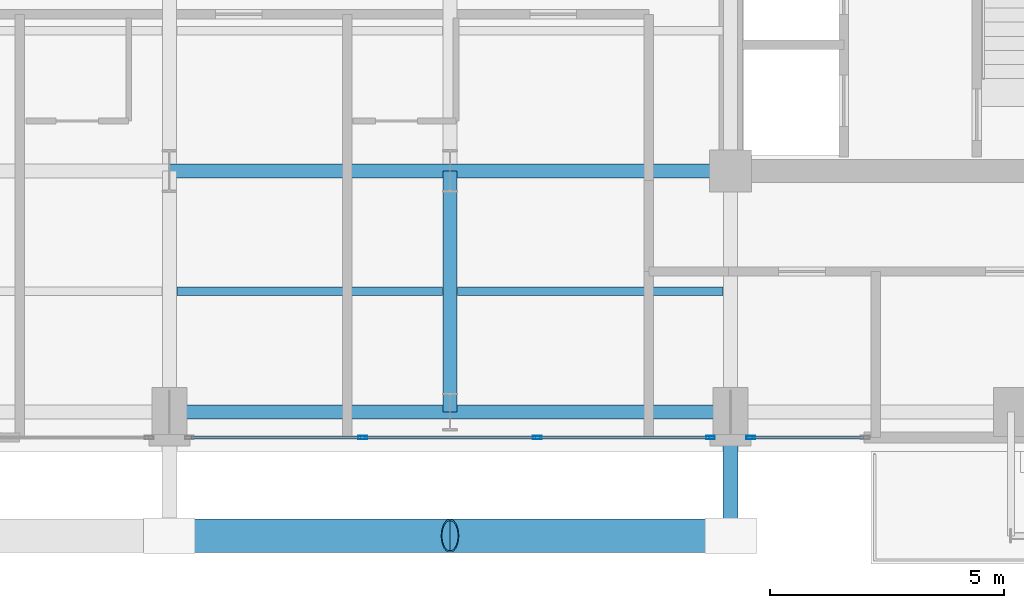
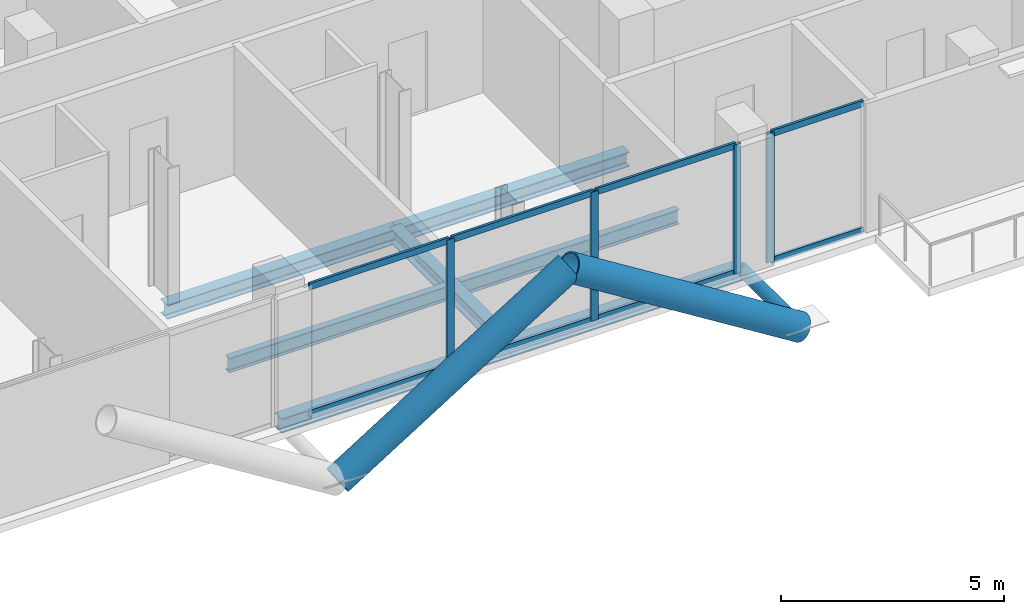
# One storey, part 4 of 28: 15 members, 7 beams, 2 elements without a shape of their own.
"""IFC4 building model written with IfcOpenShell, lengths in metres."""

import ifcopenshell
import ifcopenshell.guid

model = None  # the IFC model being written
_history = None  # IfcOwnerHistory: only IFC2X3 demands one
_inside = {}  # id of a spatial element -> (the spatial element, [elements in it])
_under = {}  # id of a project, library or spatial element -> (it, [spatial elements below it])
_declared = {}  # id of a project -> (the project, [libraries it declares])
_typed = {}  # id of a type object -> (the type object, [elements of that type])
_made_of = {}  # id of a material, layer set ... -> (it, [elements and type objects made of it])


def new_model(schema):
    """Start an empty IFC model of exactly this schema.

    Asked for "IFC4X3", IfcOpenShell would pick the latest addendum, in which some entities
    have other attributes; the version numbers below select the first issue.
    IFC2X3 requires an IfcOwnerHistory on every rooted entity: one is made here for all.
    """
    global model, _history
    if schema == "IFC4X3":
        model = ifcopenshell.file(schema_version=(4, 3, 0, 0))
    else:
        model = ifcopenshell.file(schema=schema)
    _inside.clear()
    _under.clear()
    _declared.clear()
    _typed.clear()
    _made_of.clear()
    _history = None
    if model.schema == "IFC2X3":
        org = make("IfcOrganization", Name="unknown")
        user = make(
            "IfcPersonAndOrganization",
            ThePerson=make("IfcPerson", FamilyName="unknown"),
            TheOrganization=org,
        )
        app = make(
            "IfcApplication",
            ApplicationDeveloper=org,
            Version="unknown",
            ApplicationFullName="unknown",
            ApplicationIdentifier="unknown",
        )
        _history = make(
            "IfcOwnerHistory",
            OwningUser=user,
            OwningApplication=app,
            ChangeAction="ADDED",
            CreationDate=0,
        )
    return model


def make(cls, **values):
    """One entity of the class cls with the attributes given. An attribute that is None is left unset."""
    return model.create_entity(
        cls, **{name: value for name, value in values.items() if value is not None}
    )


def rooted(cls, **values):
    """An entity with a GlobalId (a new one), such as an element, a storey or a relation."""
    return make(cls, GlobalId=ifcopenshell.guid.new(), OwnerHistory=_history, **values)


def si_unit(unit_type, name, prefix=None):
    """IfcSIUnit, for example si_unit("LENGTHUNIT", "METRE", prefix="MILLI")."""
    return make("IfcSIUnit", UnitType=unit_type, Prefix=prefix, Name=name)


def assignment(units):
    """IfcUnitAssignment: the units of a project."""
    return None if units is None else make("IfcUnitAssignment", Units=units)


def point(xyz):
    """IfcCartesianPoint."""
    return None if xyz is None else make("IfcCartesianPoint", Coordinates=xyz)


def direction(xyz):
    """IfcDirection."""
    return None if xyz is None else make("IfcDirection", DirectionRatios=xyz)


def frame(location, z_axis=None, x_axis=None):
    """IfcAxis2Placement3D, a coordinate frame: its origin and axes. An axis left out is left unset."""
    return make(
        "IfcAxis2Placement3D",
        Location=point(location),
        Axis=direction(z_axis),
        RefDirection=direction(x_axis),
    )


def frame_2d(location, x_axis=None):
    """IfcAxis2Placement2D, a coordinate frame in the plane: its origin and x axis."""
    return make(
        "IfcAxis2Placement2D", Location=point(location), RefDirection=direction(x_axis)
    )


def origin():
    """The frame at (0, 0, 0) with its axes left unset."""
    return frame((0.0, 0.0, 0.0))


def origin_2d():
    """The frame at (0, 0) in the plane with its x axis left unset."""
    return frame_2d((0.0, 0.0))


def place(relative_to, where):
    """IfcLocalPlacement: puts the frame where relative to a parent placement (None: the world)."""
    return make(
        "IfcLocalPlacement", PlacementRelTo=relative_to, RelativePlacement=where
    )


def context(
    kind, dimensions, precision=None, world=None, true_north=None, identifier=None
):
    """IfcGeometricRepresentationContext, for example the 3D "Model" context."""
    return make(
        "IfcGeometricRepresentationContext",
        ContextIdentifier=identifier,
        ContextType=kind,
        CoordinateSpaceDimension=dimensions,
        Precision=precision,
        WorldCoordinateSystem=world,
        TrueNorth=true_north,
    )


def subcontext(parent, identifier, kind, view, scale=None):
    """IfcGeometricRepresentationSubContext, for example "Body" below "Model"."""
    return make(
        "IfcGeometricRepresentationSubContext",
        ContextIdentifier=identifier,
        ContextType=kind,
        ParentContext=parent,
        TargetScale=scale,
        TargetView=view,
    )


def project(units=None, contexts=None):
    """IfcProject with its units and contexts."""
    return rooted(
        "IfcProject",
        Name="project",
        RepresentationContexts=contexts,
        UnitsInContext=assignment(units),
    )


def spatial(cls, under=None, at=None, **own):
    """A site, building, storey or space (cls), placed at a placement, below another one or the project."""
    s = rooted(cls, ObjectPlacement=at, **own)
    if under is not None:
        _under.setdefault(under.id(), (under, []))[1].append(s)
    return s


def profile(cls, at=None, kind="AREA", **sizes):
    """A parametric profile (cls). Its sizes go by their IFC names, for example OverallWidth=200.0."""
    return make(cls, ProfileType=kind, Position=at, **sizes)


def hollow_rectangle(**sizes):
    """IfcRectangleHollowProfileDef."""
    return profile("IfcRectangleHollowProfileDef", **sizes)


def hollow_circle(**sizes):
    """IfcCircleHollowProfileDef."""
    return profile("IfcCircleHollowProfileDef", **sizes)


def i_section(**sizes):
    """IfcIShapeProfileDef."""
    return profile("IfcIShapeProfileDef", **sizes)


def extrude(swept, where, along, depth):
    """IfcExtrudedAreaSolid: the profile swept, set in the frame where, extruded along a direction by depth."""
    return make(
        "IfcExtrudedAreaSolid",
        SweptArea=swept,
        Position=where,
        ExtrudedDirection=direction(along),
        Depth=depth,
    )


def shape(context_of_items, identifier, shape_type, items):
    """IfcShapeRepresentation: the items that make up one representation, for example the "Body"."""
    return make(
        "IfcShapeRepresentation",
        ContextOfItems=context_of_items,
        RepresentationIdentifier=identifier,
        RepresentationType=shape_type,
        Items=items,
    )


def material(Name=None, Category=None):
    """IfcMaterial."""
    return make("IfcMaterial", Name=Name, Category=Category)


def layer(
    of_material, thickness, ventilated=None, Name=None, Category=None, Priority=None
):
    """IfcMaterialLayer: one layer of a wall or slab, of a material (None: an air gap)."""
    return make(
        "IfcMaterialLayer",
        Material=of_material,
        LayerThickness=thickness,
        IsVentilated=ventilated,
        Name=Name,
        Category=Category,
        Priority=Priority,
    )


def layer_set(layers, Name=None):
    """IfcMaterialLayerSet."""
    return make("IfcMaterialLayerSet", MaterialLayers=layers, LayerSetName=Name)


def material_profile(
    of_material, cross_section, Name=None, Category=None, Priority=None
):
    """IfcMaterialProfile: a cross section and its material."""
    return make(
        "IfcMaterialProfile",
        Name=Name,
        Material=of_material,
        Profile=cross_section,
        Priority=Priority,
        Category=Category,
    )


def profile_set(profiles, Name=None, composite=None):
    """IfcMaterialProfileSet."""
    return make(
        "IfcMaterialProfileSet",
        Name=Name,
        MaterialProfiles=profiles,
        CompositeProfile=composite,
    )


def made_of(thing, what):
    """Note that an element or type object is made of a material, layer set ...; save() writes the relation."""
    if what is not None:
        _made_of.setdefault(what.id(), (what, []))[1].append(thing)
    return thing


def type_object(cls, material=None, **own):
    """A type object (cls), such as IfcWallType, which elements share."""
    return made_of(rooted(cls, **own), material)


def element(
    cls,
    number,
    at=None,
    inside=None,
    cuts=None,
    type_object=None,
    material=None,
    context=None,
    identifier="Body",
    shape_type=None,
    held_by="IfcProductDefinitionShape",
    body=None,
    shapes=None,
    **own,
):
    """One element of the class cls, such as IfcWall. Its Tag is "e" and its number.

    at: its placement. inside: the storey or other place that contains it. cuts: it is an
    opening in that element (IfcRelVoidsElement). A single representation is given by context,
    identifier, shape_type and body (its items); several are given by shapes. held_by: the class
    of the entity that holds the representations. save() writes the other relations.
    """
    e = rooted(cls, Tag="e%d" % number, ObjectPlacement=at, **own)
    if body is not None:
        shapes = [shape(context, identifier, shape_type, body)]
    if shapes is not None:
        e.Representation = make(held_by, Representations=shapes)
    if inside is not None:
        _inside.setdefault(inside.id(), (inside, []))[1].append(e)
    if cuts is not None:
        rooted(
            "IfcRelVoidsElement", RelatingBuildingElement=cuts, RelatedOpeningElement=e
        )
    if type_object is not None:
        _typed.setdefault(type_object.id(), (type_object, []))[1].append(e)
    return made_of(e, material)


def aggregate(whole, parts):
    """IfcRelAggregates: a whole, such as a stair, and the parts it consists of."""
    return rooted("IfcRelAggregates", RelatingObject=whole, RelatedObjects=parts)


def save(model, path):
    """Write the relations noted so far, then the file.

    IfcRelAggregates (storeys below a building ...), IfcRelContainedInSpatialStructure (elements
    in a storey), IfcRelDefinesByType, IfcRelAssociatesMaterial and IfcRelDeclares: one each for
    every whole, place, type object, material and project.
    """
    for whole, parts in _under.values():
        aggregate(whole, parts)
    for where, things in _inside.values():
        rooted(
            "IfcRelContainedInSpatialStructure",
            RelatedElements=things,
            RelatingStructure=where,
        )
    for kind, things in _typed.values():
        rooted("IfcRelDefinesByType", RelatedObjects=things, RelatingType=kind)
    for what, things in _made_of.values():
        rooted("IfcRelAssociatesMaterial", RelatedObjects=things, RelatingMaterial=what)
    for by, libraries in _declared.values():
        rooted("IfcRelDeclares", RelatingContext=by, RelatedDefinitions=libraries)
    model.write(path)


model = new_model("IFC4")

# Units and contexts
model_context = context("Model", 3, precision=1e-05, world=origin(), true_north=direction((0.0, 1.0)))
body_context = subcontext(model_context, "Body", "Model", "MODEL_VIEW")
ifc_project = project(units=[si_unit("LENGTHUNIT", "METRE"), si_unit("AREAUNIT", "SQUARE_METRE"), si_unit("VOLUMEUNIT", "CUBIC_METRE"), si_unit("PLANEANGLEUNIT", "RADIAN"), si_unit("MASSUNIT", "GRAM", prefix="KILO"), si_unit("THERMODYNAMICTEMPERATUREUNIT", "KELVIN"), si_unit("POWERUNIT", "WATT")], contexts=[model_context])

# Site, building, storey
site_placement = place(None, origin())
site = spatial("IfcSite", under=ifc_project, at=site_placement, CompositionType="ELEMENT")
building_placement = place(site_placement, origin())
building = spatial("IfcBuilding", under=site, at=building_placement, Name="Svarakhadi Broadcast Tower", CompositionType="ELEMENT")
storey_placement = place(building_placement, frame((0.0, 0.0, 169.199951171875)))
storey = spatial("IfcBuildingStorey", under=building, at=storey_placement, Name="L41", CompositionType="ELEMENT", Elevation=169.199951171875)

# Beams
ifc_material_1 = material(Name="Steel S355J2 (IS 2062 E350C)", Category="steel")
ifc_material_profile_1 = material_profile(ifc_material_1, i_section(OverallWidth=0.179931640625, OverallDepth=0.39990234375, WebThickness=0.008544921875, FlangeThickness=0.013427734375, FilletRadius=0.02099609375, at=origin_2d()), Name="NPB 400x180x66")
ifc_profile_set_1 = profile_set([ifc_material_profile_1], Name="Steel S355J2 (IS 2062 E350C)")
beam_type_1 = type_object("IfcBeamType", Name="Beam_NPB400", PredefinedType="BEAM", material=ifc_profile_set_1)
for number, where, z_axis, x_axis, name in (
    (1, (12.159912109375, 3.425048828125, -0.409912109375), (1.0, 0.0, 0.0), (0.0, 1.0, 0.0), "L41 Secondary Composite Beam SB010"),
    (2, (18.159912109375, 3.425048828125, -0.409912109375), (1.0, 0.0, 0.0), (0.0, 1.0, 0.0), "L41 Secondary Composite Beam SB014"),
):
    element("IfcBeam", number, at=place(storey_placement, frame(where, z_axis=z_axis, x_axis=x_axis)), inside=storey, type_object=beam_type_1, Name=name, PredefinedType="BEAM", context=body_context, shape_type="SweptSolid", body=[
        extrude(i_section(OverallWidth=0.179931640625, OverallDepth=0.39990234375, WebThickness=0.008544921875, FlangeThickness=0.013427734375, FilletRadius=0.02099609375, at=origin_2d()), origin(), (0.0, 0.0, 1.0), 5.68017578125),
    ])

# Curtain wall, member
ifc_material_2 = material(Name="Anodised Bronze Aluminium AA 6063-T6", Category="aluminium")
ifc_layer = layer(ifc_material_2, 0.18994140625)
ifc_layer_set = layer_set([ifc_layer], Name="Anodised Bronze Aluminium AA 6063-T6")
curtain_wall_type = type_object("IfcCurtainWallType", Name="CW_Sys_04", PredefinedType="NOTDEFINED", material=ifc_layer_set)
curtain_wall_1_placement = place(storey_placement, origin())
curtain_wall_1 = element("IfcCurtainWall", 3, at=curtain_wall_1_placement, inside=storey, type_object=curtain_wall_type, Name="L41 South Curtain Wall 15 Bay 1", PredefinedType="NOTDEFINED")
ifc_material_profile_2 = material_profile(ifc_material_2, hollow_rectangle(XDim=0.070068359375, YDim=0.18994140625, WallThickness=0.005615234375, at=origin_2d()), Name="ALU MULLION 190x70x6")
ifc_profile_set_2 = profile_set([ifc_material_profile_2], Name="Anodised Bronze Aluminium AA 6063-T6")
member_type_1 = type_object("IfcMemberType", Name="CW_Sys_04_Mul", PredefinedType="MULLION", material=ifc_profile_set_2)
member_1_placement = place(storey_placement, frame((24.429931640625, 0.300048828125, 0.0), z_axis=(0.0, 0.0, 1.0), x_axis=(0.0, -1.0, 0.0)))
member_1 = element("IfcMember", 4, at=member_1_placement, type_object=member_type_1, Name="CW-04 mullion 2", PredefinedType="MULLION", context=body_context, shape_type="SweptSolid", body=[
    extrude(hollow_rectangle(XDim=0.070068359375, YDim=0.18994140625, WallThickness=0.005615234375, at=origin_2d()), origin(), (0.0, 0.0, 1.0), 3.5400390625),
])

# Curtain wall, members
curtain_wall_2_placement = place(storey_placement, origin())
curtain_wall_2 = element("IfcCurtainWall", 5, at=curtain_wall_2_placement, inside=storey, type_object=curtain_wall_type, Name="L41 South Curtain Wall 15 Bay 2", PredefinedType="NOTDEFINED")
member_2_placement = place(storey_placement, frame((23.570068359375, 0.300048828125, 0.0), z_axis=(0.0, 0.0, 1.0), x_axis=(0.0, -1.0, 0.0)))
member_2 = element("IfcMember", 6, at=member_2_placement, type_object=member_type_1, Name="CW-04 mullion 1", PredefinedType="MULLION", context=body_context, shape_type="SweptSolid", body=[
    extrude(hollow_rectangle(XDim=0.070068359375, YDim=0.18994140625, WallThickness=0.005615234375, at=origin_2d()), origin(), (0.0, 0.0, 1.0), 3.5400390625),
])
member_3_placement = place(storey_placement, frame((19.868408203125, 0.300048828125, 0.0), z_axis=(0.0, 0.0, 1.0), x_axis=(0.0, -1.0, 0.0)))
member_3 = element("IfcMember", 7, at=member_3_placement, type_object=member_type_1, Name="CW-04 mullion 2", PredefinedType="MULLION", context=body_context, shape_type="SweptSolid", body=[
    extrude(hollow_rectangle(XDim=0.070068359375, YDim=0.18994140625, WallThickness=0.005615234375, at=origin_2d()), origin(), (0.0, 0.0, 1.0), 3.5400390625),
])
member_4_placement = place(storey_placement, frame((16.131591796875, 0.300048828125, 0.0), z_axis=(0.0, 0.0, 1.0), x_axis=(0.0, -1.0, 0.0)))
member_4 = element("IfcMember", 8, at=member_4_placement, type_object=member_type_1, Name="CW-04 mullion 3", PredefinedType="MULLION", context=body_context, shape_type="SweptSolid", body=[
    extrude(hollow_rectangle(XDim=0.070068359375, YDim=0.18994140625, WallThickness=0.005615234375, at=origin_2d()), origin(), (0.0, 0.0, 1.0), 3.5400390625),
])

# Member
ifc_material_profile_3 = material_profile(ifc_material_2, hollow_rectangle(XDim=0.06494140625, YDim=0.175048828125, WallThickness=0.0048828125, at=origin_2d()), Name="ALU TRANSOM 175x65x5")
ifc_profile_set_3 = profile_set([ifc_material_profile_3], Name="Anodised Bronze Aluminium AA 6063-T6")
member_type_2 = type_object("IfcMemberType", Name="CW_Sys_04_Trn", PredefinedType="USERDEFINED", material=ifc_profile_set_3)
member_5_placement = place(storey_placement, frame((26.840087890625, 0.300048828125, 0.032470703125), z_axis=(-1.0, 0.0, 0.0), x_axis=(0.0, -1.0, 0.0)))
member_5 = element("IfcMember", 9, at=member_5_placement, type_object=member_type_2, Name="CW-04 transom 1.1", ObjectType="TRANSOM", PredefinedType="USERDEFINED", context=body_context, shape_type="SweptSolid", body=[
    extrude(hollow_rectangle(XDim=0.06494140625, YDim=0.175048828125, WallThickness=0.0048828125, at=origin_2d()), origin(), (0.0, 0.0, 1.0), 2.375),
])

member_6_placement = place(storey_placement, frame((26.840087890625, 0.300048828125, 3.507568359375), z_axis=(-1.0, 0.0, 0.0), x_axis=(0.0, -1.0, 0.0)))
member_6 = element("IfcMember", 10, at=member_6_placement, type_object=member_type_2, Name="CW-04 transom 1.2", ObjectType="TRANSOM", PredefinedType="USERDEFINED", context=body_context, shape_type="SweptSolid", body=[
    extrude(hollow_rectangle(XDim=0.06494140625, YDim=0.175048828125, WallThickness=0.0048828125, at=origin_2d()), origin(), (0.0, 0.0, 1.0), 2.375),
])

aggregate(curtain_wall_1, [member_1, member_5, member_6])

member_7_placement = place(storey_placement, frame((23.534912109375, 0.300048828125, 0.032470703125), z_axis=(-1.0, 0.0, 0.0), x_axis=(0.0, -1.0, 0.0)))
member_7 = element("IfcMember", 11, at=member_7_placement, type_object=member_type_2, Name="CW-04 transom 1.1", ObjectType="TRANSOM", PredefinedType="USERDEFINED", context=body_context, shape_type="SweptSolid", body=[
    extrude(hollow_rectangle(XDim=0.06494140625, YDim=0.175048828125, WallThickness=0.0048828125, at=origin_2d()), origin(), (0.0, 0.0, 1.0), 3.631591796875),
])

member_8_placement = place(storey_placement, frame((23.534912109375, 0.300048828125, 3.507568359375), z_axis=(-1.0, 0.0, 0.0), x_axis=(0.0, -1.0, 0.0)))
member_8 = element("IfcMember", 12, at=member_8_placement, type_object=member_type_2, Name="CW-04 transom 1.2", ObjectType="TRANSOM", PredefinedType="USERDEFINED", context=body_context, shape_type="SweptSolid", body=[
    extrude(hollow_rectangle(XDim=0.06494140625, YDim=0.175048828125, WallThickness=0.0048828125, at=origin_2d()), origin(), (0.0, 0.0, 1.0), 3.631591796875),
])

member_9_placement = place(storey_placement, frame((19.833251953125, 0.300048828125, 0.032470703125), z_axis=(-1.0, 0.0, 0.0), x_axis=(0.0, -1.0, 0.0)))
member_9 = element("IfcMember", 13, at=member_9_placement, type_object=member_type_2, Name="CW-04 transom 2.1", ObjectType="TRANSOM", PredefinedType="USERDEFINED", context=body_context, shape_type="SweptSolid", body=[
    extrude(hollow_rectangle(XDim=0.06494140625, YDim=0.175048828125, WallThickness=0.0048828125, at=origin_2d()), origin(), (0.0, 0.0, 1.0), 3.66650390625),
])

member_10_placement = place(storey_placement, frame((19.833251953125, 0.300048828125, 3.507568359375), z_axis=(-1.0, 0.0, 0.0), x_axis=(0.0, -1.0, 0.0)))
member_10 = element("IfcMember", 14, at=member_10_placement, type_object=member_type_2, Name="CW-04 transom 2.2", ObjectType="TRANSOM", PredefinedType="USERDEFINED", context=body_context, shape_type="SweptSolid", body=[
    extrude(hollow_rectangle(XDim=0.06494140625, YDim=0.175048828125, WallThickness=0.0048828125, at=origin_2d()), origin(), (0.0, 0.0, 1.0), 3.66650390625),
])

member_11_placement = place(storey_placement, frame((16.0966796875, 0.300048828125, 0.032470703125), z_axis=(-1.0, 0.0, 0.0), x_axis=(0.0, -1.0, 0.0)))
member_11 = element("IfcMember", 15, at=member_11_placement, type_object=member_type_2, Name="CW-04 transom 3.1", ObjectType="TRANSOM", PredefinedType="USERDEFINED", context=body_context, shape_type="SweptSolid", body=[
    extrude(hollow_rectangle(XDim=0.06494140625, YDim=0.175048828125, WallThickness=0.0048828125, at=origin_2d()), origin(), (0.0, 0.0, 1.0), 3.631591796875),
])

member_12_placement = place(storey_placement, frame((16.0966796875, 0.300048828125, 3.507568359375), z_axis=(-1.0, 0.0, 0.0), x_axis=(0.0, -1.0, 0.0)))
member_12 = element("IfcMember", 16, at=member_12_placement, type_object=member_type_2, Name="CW-04 transom 3.2", ObjectType="TRANSOM", PredefinedType="USERDEFINED", context=body_context, shape_type="SweptSolid", body=[
    extrude(hollow_rectangle(XDim=0.06494140625, YDim=0.175048828125, WallThickness=0.0048828125, at=origin_2d()), origin(), (0.0, 0.0, 1.0), 3.631591796875),
])

aggregate(curtain_wall_2, [member_2, member_3, member_4, member_7, member_8, member_9, member_10, member_11, member_12])

# Members
ifc_material_3 = material(Name="Steel S460ML (IS 2062 E450BR)", Category="steel")
ifc_material_profile_4 = material_profile(ifc_material_3, hollow_circle(Radius=0.35546875, WallThickness=0.034912109375, at=origin_2d()), Name="CHS 711x35")
ifc_profile_set_4 = profile_set([ifc_material_profile_4], Name="Steel S460ML (IS 2062 E450BR)")
member_type_3 = type_object("IfcMemberType", Name="Exo_Brace_CHS711", PredefinedType="BRACE", material=ifc_profile_set_4)
for number, where, z_axis, x_axis, name in (
    (17, (12.0, -1.800048828125, -0.371826171875), (0.847998304005, 0.0, 0.529998940003), (0.0, 1.0, 0.0), "L41 Exposed Bronze Exoskeleton Diagonal S02"),
    (18, (24.0, -1.800048828125, -0.371826171875), (-0.847998304005, 0.0, 0.529998940003), (0.0, -1.0, 0.0), "L41 Exposed Bronze Exoskeleton Diagonal S03"),
):
    element("IfcMember", number, at=place(storey_placement, frame(where, z_axis=z_axis, x_axis=x_axis)), inside=storey, type_object=member_type_3, Name=name, PredefinedType="BRACE", context=body_context, shape_type="SweptSolid", body=[
        extrude(hollow_circle(Radius=0.35546875, WallThickness=0.034912109375, at=origin_2d()), origin(), (0.0, 0.0, 1.0), 7.075439453125),
    ])
ifc_material_profile_5 = material_profile(ifc_material_3, hollow_circle(Radius=0.161865234375, WallThickness=0.01611328125, at=origin_2d()), Name="CHS 323.9x16")
ifc_profile_set_5 = profile_set([ifc_material_profile_5], Name="Steel S460ML (IS 2062 E450BR)")
member_type_4 = type_object("IfcMemberType", Name="Exo_Radial_Strut_Z2", PredefinedType="STRUT", material=ifc_profile_set_5)
member_13_placement = place(storey_placement, frame((24.0, -1.800048828125, -0.371826171875), z_axis=(0.0, 1.0, 0.0), x_axis=(-1.0, 0.0, 0.0)))
element("IfcMember", 19, at=member_13_placement, inside=storey, type_object=member_type_4, Name="L41 Exoskeleton Radial Tie Strut S02", PredefinedType="STRUT", context=body_context, shape_type="SweptSolid", body=[
    extrude(hollow_circle(Radius=0.161865234375, WallThickness=0.01611328125, at=origin_2d()), origin(), (0.0, 0.0, 1.0), 2.650146484375),
])

# Beams
ifc_material_profile_6 = material_profile(ifc_material_1, i_section(OverallWidth=0.300048828125, OverallDepth=0.39990234375, WebThickness=0.013427734375, FlangeThickness=0.02392578125, FilletRadius=0.027099609375, at=origin_2d()), Name="WPB 400x300x155")
ifc_profile_set_6 = profile_set([ifc_material_profile_6], Name="Steel S355J2 (IS 2062 E350C)")
beam_type_2 = type_object("IfcBeamType", Name="Girder_WPB400", PredefinedType="USERDEFINED", material=ifc_profile_set_6)
for number, where, z_axis, x_axis, name in (
    (20, (12.0, 0.85009765625, -0.409912109375), (1.0, 0.0, 0.0), (0.0, 1.0, 0.0), "L41 Primary E-W Girder G005"),
    (21, (18.0, 0.85009765625, -0.409912109375), (1.0, 0.0, 0.0), (0.0, 1.0, 0.0), "L41 Primary E-W Girder G006"),
    (22, (12.0, 6.0, -0.409912109375), (1.0, 0.0, 0.0), (0.0, 1.0, 0.0), "L41 Primary E-W Girder G012"),
    (23, (18.0, 6.0, -0.409912109375), (1.0, 0.0, 0.0), (0.0, 1.0, 0.0), "L41 Primary E-W Girder G013"),
):
    element("IfcBeam", number, at=place(storey_placement, frame(where, z_axis=z_axis, x_axis=x_axis)), inside=storey, type_object=beam_type_2, Name=name, ObjectType="GIRDER", PredefinedType="USERDEFINED", context=body_context, shape_type="SweptSolid", body=[
        extrude(i_section(OverallWidth=0.300048828125, OverallDepth=0.39990234375, WebThickness=0.013427734375, FlangeThickness=0.02392578125, FilletRadius=0.027099609375, at=origin_2d()), origin(), (0.0, 0.0, 1.0), 6.0),
    ])
beam_placement = place(storey_placement, frame((18.0, 0.85009765625, -0.409912109375), z_axis=(0.0, 1.0, 0.0), x_axis=(-1.0, 0.0, 0.0)))
element("IfcBeam", 24, at=beam_placement, inside=storey, type_object=beam_type_2, Name="L41 Primary N-S Girder G049", ObjectType="GIRDER", PredefinedType="USERDEFINED", context=body_context, shape_type="SweptSolid", body=[
    extrude(i_section(OverallWidth=0.300048828125, OverallDepth=0.39990234375, WebThickness=0.013427734375, FlangeThickness=0.02392578125, FilletRadius=0.027099609375, at=origin_2d()), origin(), (0.0, 0.0, 1.0), 5.14990234375),
])

save(model, "model.ifc")
